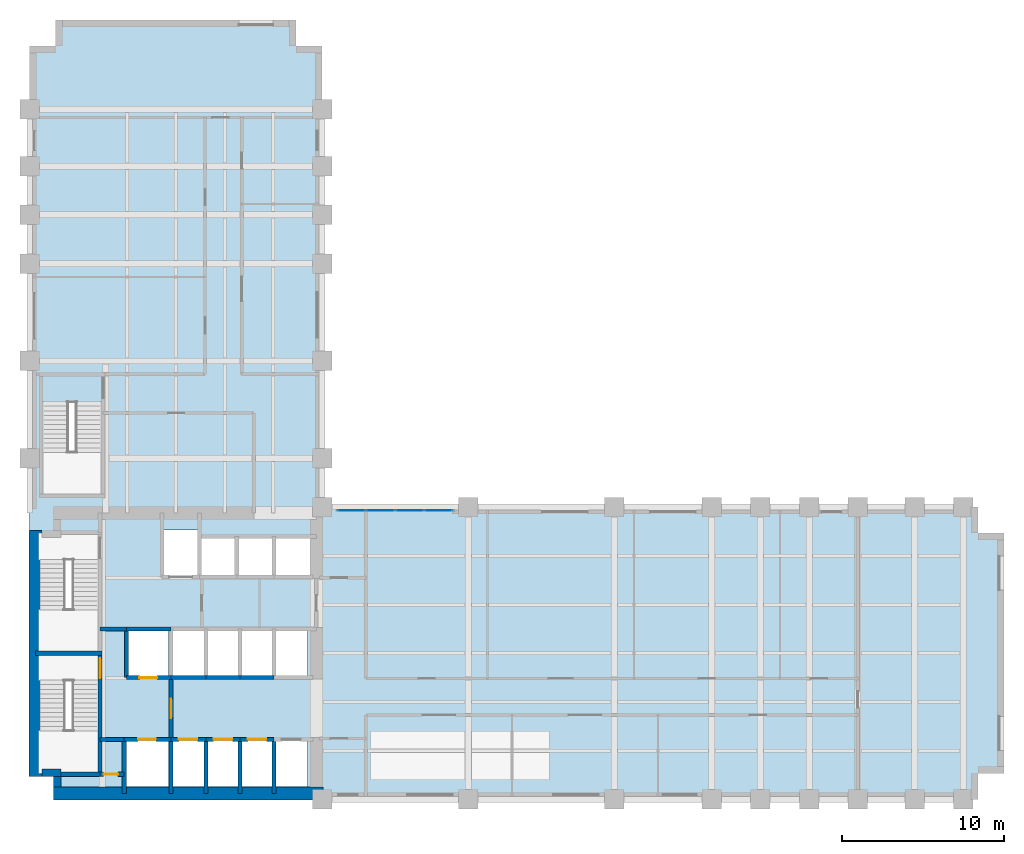
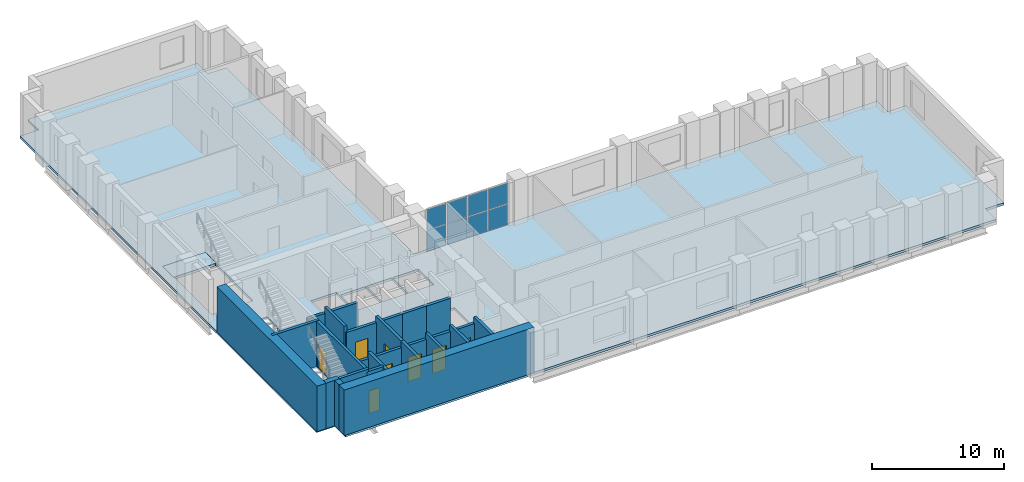
# One storey, part 4 of 8: 26 walls, 8 doors, 8 plates, 2 slabs, 8 openings, 2 elements without a shape of their own.
"""IFC4 building model written with IfcOpenShell, lengths in metres."""

from ifc_helpers import new_model, si_unit, direction, frame, frame_2d, origin, origin_2d, place, context, subcontext, project, spatial, polyline, rectangle, outline, extrude, material, layer, layer_set, type_object, element, fill, aggregate, save


model = new_model("IFC4")

# Units and contexts
model_context = context("Model", 3, precision=1e-05, world=origin(), true_north=direction((0.0, 1.0)))
body_context = subcontext(model_context, "Body", "Model", "MODEL_VIEW")
ifc_project = project(units=[si_unit("LENGTHUNIT", "METRE"), si_unit("AREAUNIT", "SQUARE_METRE"), si_unit("VOLUMEUNIT", "CUBIC_METRE"), si_unit("PLANEANGLEUNIT", "RADIAN"), si_unit("MASSUNIT", "GRAM", prefix="KILO")], contexts=[model_context])

# Site, building, storey
site_placement = place(None, origin())
site = spatial("IfcSite", under=ifc_project, at=site_placement, CompositionType="ELEMENT")
building_placement = place(site_placement, origin())
building = spatial("IfcBuilding", under=site, at=building_placement, Name="Mawjdan Bourse Tower", CompositionType="ELEMENT")
storey_placement = place(building_placement, frame((0.0, 0.0, 25.800048828125)))
storey = spatial("IfcBuildingStorey", under=building, at=storey_placement, Name="L05", CompositionType="ELEMENT", Elevation=25.800048828125)

# Curtain wall, plates
ifc_material_1 = material(Name="Thermally Broken Aluminium and Solar Glass", Category="aluminium")
ifc_layer_1 = layer(ifc_material_1, 0.219970703125)
ifc_layer_set_1 = layer_set([ifc_layer_1], Name="Thermally Broken Aluminium and Solar Glass")
curtain_wall_type = type_object("IfcCurtainWallType", Name="CW-ATR", PredefinedType="USERDEFINED", material=ifc_layer_set_1)
curtain_wall_placement = place(storey_placement, origin())
curtain_wall = element("IfcCurtainWall", 1, at=curtain_wall_placement, inside=storey, type_object=curtain_wall_type, Name="L05 Northeast Atrium Court Curtain Wall", ObjectType="ATRIUM GLAZED CURTAIN WALL", PredefinedType="USERDEFINED")
ifc_material_2 = material(Name="Low-SHGC Clear Atrium Glass", Category="glass")
ifc_layer_2 = layer(ifc_material_2, 0.035888671875)
ifc_layer_set_2 = layer_set([ifc_layer_2], Name="Low-SHGC Clear Atrium Glass")
plate_type = type_object("IfcPlateType", Name="PNL-CW-ATR", PredefinedType="CURTAIN_PANEL", material=ifc_layer_set_2)
plate_1_placement = place(storey_placement, frame((31.1826171875, 20.7900390625, 0.06005859375), z_axis=(0.0, 0.0, 1.0), x_axis=(-1.0, 0.0, 0.0)))
plate_1 = element("IfcPlate", 2, at=plate_1_placement, type_object=plate_type, Name="CW-ATR-L05-ATR-NE panel 1.1", PredefinedType="CURTAIN_PANEL", context=body_context, shape_type="SweptSolid", body=[
    extrude(rectangle(XDim=1.695068359375, YDim=0.035888671875, at=origin_2d()), origin(), (0.0, 0.0, 1.0), 1.89990234375),
])
plate_2_placement = place(storey_placement, frame((31.1826171875, 20.7900390625, 2.02001953125), z_axis=(0.0, 0.0, 1.0), x_axis=(-1.0, 0.0, 0.0)))
plate_2 = element("IfcPlate", 3, at=plate_2_placement, type_object=plate_type, Name="CW-ATR-L05-ATR-NE panel 1.2", PredefinedType="CURTAIN_PANEL", context=body_context, shape_type="SweptSolid", body=[
    extrude(rectangle(XDim=1.695068359375, YDim=0.035888671875, at=origin_2d()), origin(), (0.0, 0.0, 1.0), 1.89990234375),
])
plate_3_placement = place(storey_placement, frame((29.39990234375, 20.7900390625, 0.06005859375), z_axis=(0.0, 0.0, 1.0), x_axis=(-1.0, 0.0, 0.0)))
plate_3 = element("IfcPlate", 4, at=plate_3_placement, type_object=plate_type, Name="CW-ATR-L05-ATR-NE panel 2.1", PredefinedType="CURTAIN_PANEL", context=body_context, shape_type="SweptSolid", body=[
    extrude(rectangle(XDim=1.72998046875, YDim=0.035888671875, at=origin_2d()), origin(), (0.0, 0.0, 1.0), 1.89990234375),
])
plate_4_placement = place(storey_placement, frame((29.39990234375, 20.7900390625, 2.02001953125), z_axis=(0.0, 0.0, 1.0), x_axis=(-1.0, 0.0, 0.0)))
plate_4 = element("IfcPlate", 5, at=plate_4_placement, type_object=plate_type, Name="CW-ATR-L05-ATR-NE panel 2.2", PredefinedType="CURTAIN_PANEL", context=body_context, shape_type="SweptSolid", body=[
    extrude(rectangle(XDim=1.72998046875, YDim=0.035888671875, at=origin_2d()), origin(), (0.0, 0.0, 1.0), 1.89990234375),
])
plate_5_placement = place(storey_placement, frame((27.60009765625, 20.7900390625, 0.06005859375), z_axis=(0.0, 0.0, 1.0), x_axis=(-1.0, 0.0, 0.0)))
plate_5 = element("IfcPlate", 6, at=plate_5_placement, type_object=plate_type, Name="CW-ATR-L05-ATR-NE panel 3.1", PredefinedType="CURTAIN_PANEL", context=body_context, shape_type="SweptSolid", body=[
    extrude(rectangle(XDim=1.72998046875, YDim=0.035888671875, at=origin_2d()), origin(), (0.0, 0.0, 1.0), 1.89990234375),
])
plate_6_placement = place(storey_placement, frame((27.60009765625, 20.7900390625, 2.02001953125), z_axis=(0.0, 0.0, 1.0), x_axis=(-1.0, 0.0, 0.0)))
plate_6 = element("IfcPlate", 7, at=plate_6_placement, type_object=plate_type, Name="CW-ATR-L05-ATR-NE panel 3.2", PredefinedType="CURTAIN_PANEL", context=body_context, shape_type="SweptSolid", body=[
    extrude(rectangle(XDim=1.72998046875, YDim=0.035888671875, at=origin_2d()), origin(), (0.0, 0.0, 1.0), 1.89990234375),
])
plate_7_placement = place(storey_placement, frame((25.8173828125, 20.7900390625, 0.06005859375), z_axis=(0.0, 0.0, 1.0), x_axis=(-1.0, 0.0, 0.0)))
plate_7 = element("IfcPlate", 8, at=plate_7_placement, type_object=plate_type, Name="CW-ATR-L05-ATR-NE panel 4.1", PredefinedType="CURTAIN_PANEL", context=body_context, shape_type="SweptSolid", body=[
    extrude(rectangle(XDim=1.695068359375, YDim=0.035888671875, at=origin_2d()), origin(), (0.0, 0.0, 1.0), 1.89990234375),
])
plate_8_placement = place(storey_placement, frame((25.8173828125, 20.7900390625, 2.02001953125), z_axis=(0.0, 0.0, 1.0), x_axis=(-1.0, 0.0, 0.0)))
plate_8 = element("IfcPlate", 9, at=plate_8_placement, type_object=plate_type, Name="CW-ATR-L05-ATR-NE panel 4.2", PredefinedType="CURTAIN_PANEL", context=body_context, shape_type="SweptSolid", body=[
    extrude(rectangle(XDim=1.695068359375, YDim=0.035888671875, at=origin_2d()), origin(), (0.0, 0.0, 1.0), 1.89990234375),
])
aggregate(curtain_wall, [plate_1, plate_2, plate_3, plate_4, plate_5, plate_6, plate_7, plate_8])

# Stair, slab
ifc_material_3 = material(Name="Concrete C50/60", Category="concrete")
stair_type = type_object("IfcStairType", Name="STR-CORE-1500", PredefinedType="HALF_TURN_STAIR", material=ifc_material_3)
stair_placement = place(storey_placement, origin())
stair = element("IfcStair", 10, at=stair_placement, inside=storey, type_object=stair_type, Name="L05 Exit Stair 3 (North Wing)", PredefinedType="HALF_TURN_STAIR")
ifc_layer_3 = layer(ifc_material_3, 0.22998046875)
ifc_layer_set_3 = layer_set([ifc_layer_3], Name="Concrete C50/60")
slab_type_1 = type_object("IfcSlabType", Name="SL-LND-230", PredefinedType="LANDING", material=ifc_layer_set_3)
slab_1_placement = place(storey_placement, frame((0.0, 0.0, -0.22998046875)))
slab_1 = element("IfcSlab", 11, at=slab_1_placement, type_object=slab_type_1, Name="ST3-L05 landing 1", PredefinedType="LANDING", context=body_context, shape_type="SweptSolid", body=[
    extrude(outline(polyline([(6.739990234375, 27.4599609375), (10.4599609375, 27.4599609375), (10.4599609375, 29.1201171875), (6.739990234375, 29.1201171875), (6.739990234375, 27.4599609375)])), origin(), (0.0, 0.0, 1.0), 0.22998046875),
])
aggregate(stair, [slab_1])

# Slab
ifc_layer_4 = layer(ifc_material_3, 0.219970703125)
ifc_layer_set_4 = layer_set([ifc_layer_4], Name="Concrete C50/60")
slab_type_2 = type_object("IfcSlabType", Name="SL-TRD-220", PredefinedType="FLOOR", material=ifc_layer_set_4)
slab_2_placement = place(storey_placement, frame((0.0, 0.0, -0.219970703125)))
element("IfcSlab", 12, at=slab_2_placement, inside=storey, type_object=slab_type_2, Name="L05 Structural Floor Slab 1", PredefinedType="FLOOR", context=body_context, shape_type="SweptSolid", body=[
    extrude(outline(polyline([(7.60009765625, 3.0), (64.39990234375, 3.0), (64.39990234375, 4.60009765625), (66.0, 4.60009765625), (66.0, 19.39990234375), (64.39990234375, 19.39990234375), (64.39990234375, 21.0), (24.0, 21.0), (24.0, 49.39990234375), (22.39990234375, 49.39990234375), (22.39990234375, 51.0), (7.60009765625, 51.0), (7.60009765625, 49.39990234375), (6.0, 49.39990234375), (6.0, 4.60009765625), (7.60009765625, 4.60009765625), (7.60009765625, 3.0)]), holes=[polyline([(11.949951171875, 3.800048828125), (11.949951171875, 6.60009765625), (14.550048828125, 6.60009765625), (14.550048828125, 3.800048828125), (11.949951171875, 3.800048828125)]), polyline([(14.800048828125, 3.800048828125), (14.800048828125, 6.60009765625), (16.800048828125, 6.60009765625), (16.800048828125, 3.800048828125), (14.800048828125, 3.800048828125)]), polyline([(10.260009765625, 11.969970703125), (10.260009765625, 10.31005859375), (10.199951171875, 10.31005859375), (10.199951171875, 4.64990234375), (6.60009765625, 4.64990234375), (6.60009765625, 10.31005859375), (6.5400390625, 10.31005859375), (6.5400390625, 11.969970703125), (10.260009765625, 11.969970703125)]), polyline([(12.050048828125, 13.39990234375), (14.550048828125, 13.39990234375), (14.550048828125, 10.60009765625), (12.050048828125, 10.60009765625), (12.050048828125, 13.39990234375)]), polyline([(6.60009765625, 17.75), (6.5400390625, 17.75), (6.5400390625, 19.409912109375), (10.260009765625, 19.409912109375), (10.260009765625, 17.75), (10.199951171875, 17.75), (10.199951171875, 12.090087890625), (6.60009765625, 12.090087890625), (6.60009765625, 17.75)]), polyline([(14.199951171875, 16.800048828125), (14.199951171875, 19.60009765625), (16.39990234375, 19.60009765625), (16.39990234375, 16.800048828125), (14.199951171875, 16.800048828125)]), polyline([(10.4599609375, 27.4599609375), (10.39990234375, 27.4599609375), (10.39990234375, 21.800048828125), (6.800048828125, 21.800048828125), (6.800048828125, 27.4599609375), (6.739990234375, 27.4599609375), (6.739990234375, 29.1201171875), (10.4599609375, 29.1201171875), (10.4599609375, 27.4599609375)]), polyline([(16.89990234375, 3.800048828125), (16.89990234375, 6.60009765625), (18.89990234375, 6.60009765625), (18.89990234375, 3.800048828125), (16.89990234375, 3.800048828125)]), polyline([(19.0, 3.800048828125), (19.0, 6.60009765625), (21.0, 6.60009765625), (21.0, 3.800048828125), (19.0, 3.800048828125)]), polyline([(21.10009765625, 3.800048828125), (21.10009765625, 6.60009765625), (23.10009765625, 6.60009765625), (23.10009765625, 3.800048828125), (21.10009765625, 3.800048828125)]), polyline([(14.800048828125, 13.39990234375), (16.800048828125, 13.39990234375), (16.800048828125, 10.60009765625), (14.800048828125, 10.60009765625), (14.800048828125, 13.39990234375)]), polyline([(16.89990234375, 13.39990234375), (18.89990234375, 13.39990234375), (18.89990234375, 10.60009765625), (16.89990234375, 10.60009765625), (16.89990234375, 13.39990234375)]), polyline([(19.0, 10.60009765625), (19.0, 13.39990234375), (21.0, 13.39990234375), (21.0, 10.60009765625), (19.0, 10.60009765625)]), polyline([(21.10009765625, 10.60009765625), (21.10009765625, 13.39990234375), (23.10009765625, 13.39990234375), (23.10009765625, 10.60009765625), (21.10009765625, 10.60009765625)]), polyline([(16.5, 16.800048828125), (16.5, 19.14990234375), (18.699951171875, 19.14990234375), (18.699951171875, 16.800048828125), (16.5, 16.800048828125)]), polyline([(18.800048828125, 19.14990234375), (21.0, 19.14990234375), (21.0, 16.800048828125), (18.800048828125, 16.800048828125), (18.800048828125, 19.14990234375)]), polyline([(21.10009765625, 19.14990234375), (23.300048828125, 19.14990234375), (23.300048828125, 16.800048828125), (21.10009765625, 16.800048828125), (21.10009765625, 19.14990234375)])]), origin(), (0.0, 0.0, 1.0), 0.219970703125),
])

# Walls
ifc_material_4 = material(Name="Concrete C60/75", Category="concrete")
ifc_layer_5 = layer(ifc_material_4, 0.449951171875)
ifc_layer_set_5 = layer_set([ifc_layer_5], Name="Concrete C60/75")
wall_type_1 = type_object("IfcWallType", Name="WL-CORE-450", PredefinedType="SHEAR", material=ifc_layer_set_5)
wall_1_placement = place(storey_placement, frame((6.75, 4.64990234375, 0.0), z_axis=(0.0, 0.0, 1.0), x_axis=(1.0, 0.0, 0.0)))
element("IfcWall", 13, at=wall_1_placement, inside=storey, type_object=wall_type_1, Name="L05 Rear Core Shear Wall SW-X", PredefinedType="SHEAR", context=body_context, shape_type="SweptSolid", body=[
    extrude(rectangle(XDim=1.175048828125, YDim=0.449951171875, at=frame_2d((0.58740234375, 0.0))), origin(), (0.0, 0.0, 1.0), 4.199951171875),
])
wall_2_placement = place(storey_placement, frame((7.699951171875, 3.75, 0.0), z_axis=(0.0, 0.0, 1.0), x_axis=(0.0, 1.0, 0.0)))
element("IfcWall", 14, at=wall_2_placement, inside=storey, type_object=wall_type_1, Name="L05 Rear Core Shear Wall SW-Y", PredefinedType="SHEAR", context=body_context, shape_type="SweptSolid", body=[
    extrude(rectangle(XDim=0.675048828125, YDim=0.449951171875, at=frame_2d((0.33740234375, 0.0))), origin(), (0.0, 0.0, 1.0), 4.199951171875),
])
ifc_material_5 = material(Name="Concrete C80/95", Category="concrete")
ifc_layer_6 = layer(ifc_material_5, 0.800048828125)
ifc_layer_set_6 = layer_set([ifc_layer_6], Name="Concrete C80/95")
wall_type_2 = type_object("IfcWallType", Name="WL-CORE-800", PredefinedType="SHEAR", material=ifc_layer_set_6)
wall_3_placement = place(storey_placement, frame((7.47509765625, 3.35009765625, 0.0), z_axis=(0.0, 0.0, 1.0), x_axis=(1.0, 0.0, 0.0)))
element("IfcWall", 15, at=wall_3_placement, inside=storey, type_object=wall_type_2, Name="L05 Rear Core Shear Wall S", PredefinedType="SHEAR", context=body_context, shape_type="SweptSolid", body=[
    extrude(rectangle(XDim=16.574951171875, YDim=0.800048828125, at=frame_2d((8.28759765625, 0.0))), origin(), (0.0, 0.0, 1.0), 4.199951171875),
])
wall_4_placement = place(storey_placement, frame((6.35009765625, 4.425048828125, 0.0), z_axis=(0.0, 0.0, 1.0), x_axis=(0.0, 1.0, 0.0)))
element("IfcWall", 16, at=wall_4_placement, inside=storey, type_object=wall_type_2, Name="L05 Rear Core Shear Wall W", PredefinedType="SHEAR", context=body_context, shape_type="SweptSolid", body=[
    extrude(rectangle(XDim=15.14990234375, YDim=0.800048828125, at=frame_2d((7.574951171875, 0.0))), origin(), (0.0, 0.0, 1.0), 4.199951171875),
])

# Wall, opening, door
ifc_layer_7 = layer(ifc_material_3, 0.25)
ifc_layer_set_7 = layer_set([ifc_layer_7], Name="Concrete C50/60")
wall_type_3 = type_object("IfcWallType", Name="WL-SHFT-250", PredefinedType="PARTITIONING", material=ifc_layer_set_7)
wall_5_placement = place(storey_placement, frame((10.330078125, 4.550048828125, 0.0), z_axis=(0.0, 0.0, 1.0), x_axis=(1.0, 0.0, 0.0)))
wall_5 = element("IfcWall", 17, at=wall_5_placement, inside=storey, type_object=wall_type_3, Name="L05 SW Riser North Wall", PredefinedType="PARTITIONING", context=body_context, shape_type="SweptSolid", body=[
    extrude(rectangle(XDim=1.489990234375, YDim=0.25, at=frame_2d((0.7451171875, 0.0))), origin(), (0.0, 0.0, 1.0), 3.969970703125),
])
opening_1_placement = place(wall_5_placement, frame((0.219970703125, 0.0, 0.0)))
opening_1 = element("IfcOpeningElement", 18, at=opening_1_placement, cuts=wall_5, Name="Opening RD-L05-03", PredefinedType="OPENING", context=body_context, shape_type="SweptSolid", body=[
    extrude(rectangle(XDim=0.89990234375, YDim=2.10009765625, at=frame_2d((0.449951171875, 1.050048828125))), frame((0.0, 0.135009765625, 0.0), z_axis=(0.0, -1.0, 0.0), x_axis=(1.0, 0.0, 0.0)), (0.0, 0.0, 1.0), 0.27001953125),
])
ifc_material_6 = material(Name="Fire-Rated Steel Access Leaf", Category="steel")
door_type_1 = type_object("IfcDoorType", Name="FD-RSR-0900", OperationType="NOTDEFINED", PredefinedType="TRAPDOOR", material=ifc_material_6)
door_1_placement = place(opening_1_placement, origin())
door_1 = element("IfcDoor", 19, at=door_1_placement, inside=storey, type_object=door_type_1, Name="L05 Electrical Riser Access Door RD-L05-03", OperationType="SINGLE_SWING_RIGHT", OverallHeight=2.10009765625, OverallWidth=0.89990234375, PredefinedType="TRAPDOOR", context=body_context, shape_type="SweptSolid", body=[
    extrude(rectangle(XDim=0.89990234375, YDim=2.10009765625, at=frame_2d((0.449951171875, 1.050048828125))), frame((0.0, 0.02490234375, 0.0), z_axis=(0.0, -1.0, 0.0), x_axis=(1.0, 0.0, 0.0)), (0.0, 0.0, 1.0), 0.050048828125),
])
fill(opening_1, door_1)

# Wall
wall_6_placement = place(storey_placement, frame((11.820068359375, 3.35009765625, 0.0), z_axis=(0.0, 0.0, 1.0), x_axis=(0.0, 1.0, 0.0)))
element("IfcWall", 20, at=wall_6_placement, inside=storey, type_object=wall_type_3, Name="L05 SW Riser & FFL01 West Wall", PredefinedType="PARTITIONING", context=body_context, shape_type="SweptSolid", body=[
    extrude(rectangle(XDim=3.349853515625, YDim=0.25, at=frame_2d((1.6748046875, 0.0))), origin(), (0.0, 0.0, 1.0), 3.969970703125),
])

# Wall, opening, door
wall_7_placement = place(storey_placement, frame((11.820068359375, 6.699951171875, 0.0), z_axis=(0.0, 0.0, 1.0), x_axis=(1.0, 0.0, 0.0)))
wall_7 = element("IfcWall", 21, at=wall_7_placement, inside=storey, type_object=wall_type_3, Name="L05 FFL-01 Front Shaft Wall", PredefinedType="PARTITIONING", context=body_context, shape_type="SweptSolid", body=[
    extrude(rectangle(XDim=2.8798828125, YDim=0.25, at=frame_2d((1.43994140625, 0.0))), origin(), (0.0, 0.0, 1.0), 3.426025390625),
])
opening_2_placement = place(wall_7_placement, frame((0.85009765625, 0.0, 0.0)))
opening_2 = element("IfcOpeningElement", 22, at=opening_2_placement, cuts=wall_7, Name="Opening LD-L05-05", PredefinedType="OPENING", context=body_context, shape_type="SweptSolid", body=[
    extrude(rectangle(XDim=1.10009765625, YDim=2.25, at=frame_2d((0.550048828125, 1.125))), frame((0.0, 0.135009765625, 0.0), z_axis=(0.0, -1.0, 0.0), x_axis=(1.0, 0.0, 0.0)), (0.0, 0.0, 1.0), 0.27001953125),
])
ifc_material_7 = material(Name="Brushed Stainless Steel", Category="steel")
door_type_2 = type_object("IfcDoorType", Name="LD-FFL-1100", OperationType="DOUBLE_DOOR_SLIDING", PredefinedType="DOOR", material=ifc_material_7)
door_2_placement = place(opening_2_placement, origin())
door_2 = element("IfcDoor", 23, at=door_2_placement, inside=storey, type_object=door_type_2, Name="L05 Firefighting Lift FFL-01 Landing Door LD-L05-05", OperationType="DOUBLE_DOOR_SLIDING", OverallHeight=2.25, OverallWidth=1.10009765625, PredefinedType="DOOR", context=body_context, shape_type="SweptSolid", body=[
    extrude(rectangle(XDim=1.10009765625, YDim=2.25, at=frame_2d((0.550048828125, 1.125))), frame((0.0, 0.02490234375, 0.0), z_axis=(0.0, -1.0, 0.0), x_axis=(1.0, 0.0, 0.0)), (0.0, 0.0, 1.0), 0.050048828125),
])
fill(opening_2, door_2)

# Wall
wall_8_placement = place(storey_placement, frame((14.699951171875, 3.35009765625, 0.0), z_axis=(0.0, 0.0, 1.0), x_axis=(0.0, 1.0, 0.0)))
element("IfcWall", 24, at=wall_8_placement, inside=storey, type_object=wall_type_3, Name="L05 FFL-01 East Shaft Wall", PredefinedType="PARTITIONING", context=body_context, shape_type="SweptSolid", body=[
    extrude(rectangle(XDim=3.349853515625, YDim=0.25, at=frame_2d((1.6748046875, 0.0))), origin(), (0.0, 0.0, 1.0), 3.969970703125),
])

# Wall, opening, door
wall_9_placement = place(storey_placement, frame((11.949951171875, 10.5, 0.0), z_axis=(0.0, 0.0, 1.0), x_axis=(1.0, 0.0, 0.0)))
wall_9 = element("IfcWall", 25, at=wall_9_placement, inside=storey, type_object=wall_type_3, Name="L05 FFL-02 Front Shaft Wall", PredefinedType="PARTITIONING", context=body_context, shape_type="SweptSolid", body=[
    extrude(rectangle(XDim=2.75, YDim=0.25, at=frame_2d((1.375, 0.0))), origin(), (0.0, 0.0, 1.0), 3.426025390625),
])
opening_3_placement = place(wall_9_placement, frame((0.800048828125, 0.0, 0.0)))
opening_3 = element("IfcOpeningElement", 26, at=opening_3_placement, cuts=wall_9, Name="Opening LD-L05-06", PredefinedType="OPENING", context=body_context, shape_type="SweptSolid", body=[
    extrude(rectangle(XDim=1.10009765625, YDim=2.25, at=frame_2d((0.550048828125, 1.125))), frame((0.0, 0.135009765625, 0.0), z_axis=(0.0, -1.0, 0.0), x_axis=(1.0, 0.0, 0.0)), (0.0, 0.0, 1.0), 0.27001953125),
])
door_3_placement = place(opening_3_placement, origin())
door_3 = element("IfcDoor", 27, at=door_3_placement, inside=storey, type_object=door_type_2, Name="L05 Firefighting Lift FFL-02 Landing Door LD-L05-06", OperationType="DOUBLE_DOOR_SLIDING", OverallHeight=2.25, OverallWidth=1.10009765625, PredefinedType="DOOR", context=body_context, shape_type="SweptSolid", body=[
    extrude(rectangle(XDim=1.10009765625, YDim=2.25, at=frame_2d((0.550048828125, 1.125))), frame((0.0, 0.02490234375, 0.0), z_axis=(0.0, -1.0, 0.0), x_axis=(1.0, 0.0, 0.0)), (0.0, 0.0, 1.0), 0.050048828125),
])
fill(opening_3, door_3)

# Walls
wall_10_placement = place(storey_placement, frame((11.949951171875, 10.5, 0.0), z_axis=(0.0, 0.0, 1.0), x_axis=(0.0, 1.0, 0.0)))
element("IfcWall", 28, at=wall_10_placement, inside=storey, type_object=wall_type_3, Name="L05 FFL-02 West Shaft Wall", PredefinedType="PARTITIONING", context=body_context, shape_type="SweptSolid", body=[
    extrude(rectangle(XDim=3.0, YDim=0.25, at=frame_2d((1.5, 0.0))), origin(), (0.0, 0.0, 1.0), 3.969970703125),
])
wall_11_placement = place(storey_placement, frame((11.949951171875, 13.5, 0.0), z_axis=(0.0, 0.0, 1.0), x_axis=(1.0, 0.0, 0.0)))
element("IfcWall", 29, at=wall_11_placement, inside=storey, type_object=wall_type_3, Name="L05 FFL-02 North Shaft Wall", PredefinedType="PARTITIONING", context=body_context, shape_type="SweptSolid", body=[
    extrude(rectangle(XDim=2.75, YDim=0.25, at=frame_2d((1.375, 0.0))), origin(), (0.0, 0.0, 1.0), 3.426025390625),
])

# Wall, opening, door
wall_12_placement = place(storey_placement, frame((14.699951171875, 6.699951171875, 0.0), z_axis=(0.0, 0.0, 1.0), x_axis=(0.0, 1.0, 0.0)))
wall_12 = element("IfcWall", 30, at=wall_12_placement, inside=storey, type_object=wall_type_3, Name="L05 Firefighting Lobby East Compartment Wall", PredefinedType="PARTITIONING", context=body_context, shape_type="SweptSolid", body=[
    extrude(rectangle(XDim=3.800048828125, YDim=0.25, at=frame_2d((1.89990234375, 0.0))), origin(), (0.0, 0.0, 1.0), 3.969970703125),
])
opening_4_placement = place(wall_12_placement, frame((1.300048828125, 0.0, 0.0)))
opening_4 = element("IfcOpeningElement", 31, at=opening_4_placement, cuts=wall_12, Name="Opening FD-L05-07", PredefinedType="OPENING", context=body_context, shape_type="SweptSolid", body=[
    extrude(rectangle(XDim=1.199951171875, YDim=2.199951171875, at=frame_2d((0.60009765625, 1.10009765625))), frame((0.0, 0.135009765625, 0.0), z_axis=(0.0, -1.0, 0.0), x_axis=(1.0, 0.0, 0.0)), (0.0, 0.0, 1.0), 0.27001953125),
])
ifc_material_8 = material(Name="Fire-Rated Steel Leaf", Category="steel")
door_type_3 = type_object("IfcDoorType", Name="FD-FFL-1200", OperationType="NOTDEFINED", PredefinedType="DOOR", material=ifc_material_8)
door_4_placement = place(opening_4_placement, origin())
door_4 = element("IfcDoor", 32, at=door_4_placement, inside=storey, type_object=door_type_3, Name="L05 Firefighting Lobby East Smoke Door FD-L05-07", OperationType="SINGLE_SWING_RIGHT", OverallHeight=2.199951171875, OverallWidth=1.199951171875, PredefinedType="DOOR", context=body_context, shape_type="SweptSolid", body=[
    extrude(rectangle(XDim=1.199951171875, YDim=2.199951171875, at=frame_2d((0.60009765625, 1.10009765625))), frame((0.0, 0.02490234375, 0.0), z_axis=(0.0, -1.0, 0.0), x_axis=(1.0, 0.0, 0.0)), (0.0, 0.0, 1.0), 0.050048828125),
])
fill(opening_4, door_4)

# Walls
wall_13_placement = place(storey_placement, frame((10.330078125, 13.5, 0.0), z_axis=(0.0, 0.0, 1.0), x_axis=(1.0, 0.0, 0.0)))
element("IfcWall", 33, at=wall_13_placement, inside=storey, type_object=wall_type_3, Name="L05 Firefighting Lobby North Compartment Wall", PredefinedType="PARTITIONING", context=body_context, shape_type="SweptSolid", body=[
    extrude(rectangle(XDim=1.619873046875, YDim=0.25, at=frame_2d((0.81005859375, 0.0))), origin(), (0.0, 0.0, 1.0), 3.426025390625),
])
wall_14_placement = place(storey_placement, frame((10.330078125, 6.699951171875, 0.0), z_axis=(0.0, 0.0, 1.0), x_axis=(1.0, 0.0, 0.0)))
element("IfcWall", 34, at=wall_14_placement, inside=storey, type_object=wall_type_3, Name="L05 Firefighting Lobby South Closure Wall", PredefinedType="PARTITIONING", context=body_context, shape_type="SweptSolid", body=[
    extrude(rectangle(XDim=1.489990234375, YDim=0.25, at=frame_2d((0.7451171875, 0.0))), origin(), (0.0, 0.0, 1.0), 3.426025390625),
])

# Wall, opening, door
wall_15_placement = place(storey_placement, frame((14.699951171875, 6.699951171875, 0.0), z_axis=(0.0, 0.0, 1.0), x_axis=(1.0, 0.0, 0.0)))
wall_15 = element("IfcWall", 35, at=wall_15_placement, inside=storey, type_object=wall_type_3, Name="L05 PL-04 Front Wall", PredefinedType="PARTITIONING", context=body_context, shape_type="SweptSolid", body=[
    extrude(rectangle(XDim=2.150146484375, YDim=0.25, at=frame_2d((1.0751953125, 0.0))), origin(), (0.0, 0.0, 1.0), 3.426025390625),
])
opening_5_placement = place(wall_15_placement, frame((0.47998046875, 0.0, 0.0)))
opening_5 = element("IfcOpeningElement", 36, at=opening_5_placement, cuts=wall_15, Name="Opening LD-L05-10", PredefinedType="OPENING", context=body_context, shape_type="SweptSolid", body=[
    extrude(rectangle(XDim=1.14990234375, YDim=2.25, at=frame_2d((0.574951171875, 1.125))), frame((0.0, 0.135009765625, 0.0), z_axis=(0.0, -1.0, 0.0), x_axis=(1.0, 0.0, 0.0)), (0.0, 0.0, 1.0), 0.27001953125),
])
door_type_4 = type_object("IfcDoorType", Name="LD-PAS-1150", OperationType="DOUBLE_DOOR_SLIDING", PredefinedType="DOOR", material=ifc_material_7)
door_5_placement = place(opening_5_placement, origin())
door_5 = element("IfcDoor", 37, at=door_5_placement, inside=storey, type_object=door_type_4, Name="L05 Lift PL-04 Landing Door LD-L05-10", OperationType="DOUBLE_DOOR_SLIDING", OverallHeight=2.25, OverallWidth=1.14990234375, PredefinedType="DOOR", context=body_context, shape_type="SweptSolid", body=[
    extrude(rectangle(XDim=1.14990234375, YDim=2.25, at=frame_2d((0.574951171875, 1.125))), frame((0.0, 0.02490234375, 0.0), z_axis=(0.0, -1.0, 0.0), x_axis=(1.0, 0.0, 0.0)), (0.0, 0.0, 1.0), 0.050048828125),
])
fill(opening_5, door_5)

# Wall
wall_16_placement = place(storey_placement, frame((16.85009765625, 3.35009765625, 0.0), z_axis=(0.0, 0.0, 1.0), x_axis=(0.0, 1.0, 0.0)))
element("IfcWall", 38, at=wall_16_placement, inside=storey, type_object=wall_type_3, Name="L05 PL-04 Divider Wall", PredefinedType="PARTITIONING", context=body_context, shape_type="SweptSolid", body=[
    extrude(rectangle(XDim=3.349853515625, YDim=0.25, at=frame_2d((1.6748046875, 0.0))), origin(), (0.0, 0.0, 1.0), 3.969970703125),
])

# Wall, opening, door
wall_17_placement = place(storey_placement, frame((16.85009765625, 6.699951171875, 0.0), z_axis=(0.0, 0.0, 1.0), x_axis=(1.0, 0.0, 0.0)))
wall_17 = element("IfcWall", 39, at=wall_17_placement, inside=storey, type_object=wall_type_3, Name="L05 PL-01 Front Wall", PredefinedType="PARTITIONING", context=body_context, shape_type="SweptSolid", body=[
    extrude(rectangle(XDim=2.099853515625, YDim=0.25, at=frame_2d((1.0498046875, 0.0))), origin(), (0.0, 0.0, 1.0), 3.426025390625),
])
opening_6_placement = place(wall_17_placement, frame((0.47998046875, 0.0, 0.0)))
opening_6 = element("IfcOpeningElement", 40, at=opening_6_placement, cuts=wall_17, Name="Opening LD-L05-11", PredefinedType="OPENING", context=body_context, shape_type="SweptSolid", body=[
    extrude(rectangle(XDim=1.14990234375, YDim=2.25, at=frame_2d((0.574951171875, 1.125))), frame((0.0, 0.135009765625, 0.0), z_axis=(0.0, -1.0, 0.0), x_axis=(1.0, 0.0, 0.0)), (0.0, 0.0, 1.0), 0.27001953125),
])
door_6_placement = place(opening_6_placement, origin())
door_6 = element("IfcDoor", 41, at=door_6_placement, inside=storey, type_object=door_type_4, Name="L05 Lift PL-01 Landing Door LD-L05-11", OperationType="DOUBLE_DOOR_SLIDING", OverallHeight=2.25, OverallWidth=1.14990234375, PredefinedType="DOOR", context=body_context, shape_type="SweptSolid", body=[
    extrude(rectangle(XDim=1.14990234375, YDim=2.25, at=frame_2d((0.574951171875, 1.125))), frame((0.0, 0.02490234375, 0.0), z_axis=(0.0, -1.0, 0.0), x_axis=(1.0, 0.0, 0.0)), (0.0, 0.0, 1.0), 0.050048828125),
])
fill(opening_6, door_6)

# Wall
wall_18_placement = place(storey_placement, frame((18.949951171875, 3.35009765625, 0.0), z_axis=(0.0, 0.0, 1.0), x_axis=(0.0, 1.0, 0.0)))
element("IfcWall", 42, at=wall_18_placement, inside=storey, type_object=wall_type_3, Name="L05 PL-01 Divider Wall", PredefinedType="PARTITIONING", context=body_context, shape_type="SweptSolid", body=[
    extrude(rectangle(XDim=3.349853515625, YDim=0.25, at=frame_2d((1.6748046875, 0.0))), origin(), (0.0, 0.0, 1.0), 3.969970703125),
])

# Wall, opening, door
wall_19_placement = place(storey_placement, frame((18.949951171875, 6.699951171875, 0.0), z_axis=(0.0, 0.0, 1.0), x_axis=(1.0, 0.0, 0.0)))
wall_19 = element("IfcWall", 43, at=wall_19_placement, inside=storey, type_object=wall_type_3, Name="L05 PL-02 Front Wall", PredefinedType="PARTITIONING", context=body_context, shape_type="SweptSolid", body=[
    extrude(rectangle(XDim=2.10009765625, YDim=0.25, at=frame_2d((1.050048828125, 0.0))), origin(), (0.0, 0.0, 1.0), 3.426025390625),
])
opening_7_placement = place(wall_19_placement, frame((0.47998046875, 0.0, 0.0)))
opening_7 = element("IfcOpeningElement", 44, at=opening_7_placement, cuts=wall_19, Name="Opening LD-L05-12", PredefinedType="OPENING", context=body_context, shape_type="SweptSolid", body=[
    extrude(rectangle(XDim=1.14990234375, YDim=2.25, at=frame_2d((0.574951171875, 1.125))), frame((0.0, 0.135009765625, 0.0), z_axis=(0.0, -1.0, 0.0), x_axis=(1.0, 0.0, 0.0)), (0.0, 0.0, 1.0), 0.27001953125),
])
door_7_placement = place(opening_7_placement, origin())
door_7 = element("IfcDoor", 45, at=door_7_placement, inside=storey, type_object=door_type_4, Name="L05 Lift PL-02 Landing Door LD-L05-12", OperationType="DOUBLE_DOOR_SLIDING", OverallHeight=2.25, OverallWidth=1.14990234375, PredefinedType="DOOR", context=body_context, shape_type="SweptSolid", body=[
    extrude(rectangle(XDim=1.14990234375, YDim=2.25, at=frame_2d((0.574951171875, 1.125))), frame((0.0, 0.02490234375, 0.0), z_axis=(0.0, -1.0, 0.0), x_axis=(1.0, 0.0, 0.0)), (0.0, 0.0, 1.0), 0.050048828125),
])
fill(opening_7, door_7)

# Walls
wall_20_placement = place(storey_placement, frame((21.050048828125, 3.35009765625, 0.0), z_axis=(0.0, 0.0, 1.0), x_axis=(0.0, 1.0, 0.0)))
element("IfcWall", 46, at=wall_20_placement, inside=storey, type_object=wall_type_3, Name="L05 PL-02 Divider Wall", PredefinedType="PARTITIONING", context=body_context, shape_type="SweptSolid", body=[
    extrude(rectangle(XDim=3.349853515625, YDim=0.25, at=frame_2d((1.6748046875, 0.0))), origin(), (0.0, 0.0, 1.0), 3.969970703125),
])
wall_21_placement = place(storey_placement, frame((14.699951171875, 10.5, 0.0), z_axis=(0.0, 0.0, 1.0), x_axis=(1.0, 0.0, 0.0)))
element("IfcWall", 47, at=wall_21_placement, inside=storey, type_object=wall_type_3, Name="L05 PM-01 Front Wall", PredefinedType="PARTITIONING", context=body_context, shape_type="SweptSolid", body=[
    extrude(rectangle(XDim=2.150146484375, YDim=0.25, at=frame_2d((1.0751953125, 0.0))), origin(), (0.0, 0.0, 1.0), 3.426025390625),
])
wall_22_placement = place(storey_placement, frame((16.85009765625, 10.5, 0.0), z_axis=(0.0, 0.0, 1.0), x_axis=(1.0, 0.0, 0.0)))
element("IfcWall", 48, at=wall_22_placement, inside=storey, type_object=wall_type_3, Name="L05 PM-02 Front Wall", PredefinedType="PARTITIONING", context=body_context, shape_type="SweptSolid", body=[
    extrude(rectangle(XDim=2.099853515625, YDim=0.25, at=frame_2d((1.0498046875, 0.0))), origin(), (0.0, 0.0, 1.0), 3.426025390625),
])
wall_23_placement = place(storey_placement, frame((18.949951171875, 10.5, 0.0), z_axis=(0.0, 0.0, 1.0), x_axis=(1.0, 0.0, 0.0)))
element("IfcWall", 49, at=wall_23_placement, inside=storey, type_object=wall_type_3, Name="L05 PM-03 Front Wall", PredefinedType="PARTITIONING", context=body_context, shape_type="SweptSolid", body=[
    extrude(rectangle(XDim=2.10009765625, YDim=0.25, at=frame_2d((1.050048828125, 0.0))), origin(), (0.0, 0.0, 1.0), 3.426025390625),
])
ifc_layer_8 = layer(ifc_material_3, 0.25)
ifc_layer_set_8 = layer_set([ifc_layer_8], Name="Concrete C50/60")
wall_type_4 = type_object("IfcWallType", Name="WL-STRW-250", PredefinedType="SHEAR", material=ifc_layer_set_8)
wall_24_placement = place(storey_placement, frame((6.35009765625, 12.0, 0.0), z_axis=(0.0, 0.0, 1.0), x_axis=(1.0, 0.0, 0.0)))
element("IfcWall", 50, at=wall_24_placement, inside=storey, type_object=wall_type_4, Name="L05 Stairwell Dividing Shaft Wall", PredefinedType="SHEAR", context=body_context, shape_type="SweptSolid", body=[
    extrude(rectangle(XDim=4.10498046875, YDim=0.25, at=frame_2d((2.052490234375, 0.0))), origin(), (0.0, 0.0, 1.0), 4.199951171875),
])
wall_25_placement = place(storey_placement, frame((7.699951171875, 4.550048828125, 0.0), z_axis=(0.0, 0.0, 1.0), x_axis=(1.0, 0.0, 0.0)))
element("IfcWall", 51, at=wall_25_placement, inside=storey, type_object=wall_type_4, Name="L05 Stairwell ST1 South Shaft Wall", PredefinedType="SHEAR", context=body_context, shape_type="SweptSolid", body=[
    extrude(rectangle(XDim=2.755126953125, YDim=0.25, at=frame_2d((1.37744140625, 0.0))), origin(), (0.0, 0.0, 1.0), 4.199951171875),
])

# Wall, opening, door
wall_26_placement = place(storey_placement, frame((10.330078125, 4.550048828125, 0.0), z_axis=(0.0, 0.0, 1.0), x_axis=(0.0, 1.0, 0.0)))
wall_26 = element("IfcWall", 52, at=wall_26_placement, inside=storey, type_object=wall_type_4, Name="L05 Stairwell ST1 East Enclosure Wall", PredefinedType="SHEAR", context=body_context, shape_type="SweptSolid", body=[
    extrude(rectangle(XDim=7.449951171875, YDim=0.25, at=frame_2d((3.72509765625, 0.0))), origin(), (0.0, 0.0, 1.0), 4.199951171875),
])
opening_8_placement = place(wall_26_placement, frame((5.89990234375, 0.0, 0.0)))
opening_8 = element("IfcOpeningElement", 53, at=opening_8_placement, cuts=wall_26, Name="Opening SD-L05-01", PredefinedType="OPENING", context=body_context, shape_type="SweptSolid", body=[
    extrude(rectangle(XDim=1.25, YDim=2.199951171875, at=frame_2d((0.625, 1.10009765625))), frame((0.0, 0.135009765625, 0.0), z_axis=(0.0, -1.0, 0.0), x_axis=(1.0, 0.0, 0.0)), (0.0, 0.0, 1.0), 0.27001953125),
])
door_type_5 = type_object("IfcDoorType", Name="FD-ST-1250", OperationType="NOTDEFINED", PredefinedType="DOOR", material=ifc_material_8)
door_8_placement = place(opening_8_placement, origin())
door_8 = element("IfcDoor", 54, at=door_8_placement, inside=storey, type_object=door_type_5, Name="L05 Exit Stair ST1 Fire Door SD-L05-01", OperationType="SINGLE_SWING_RIGHT", OverallHeight=2.199951171875, OverallWidth=1.25, PredefinedType="DOOR", context=body_context, shape_type="SweptSolid", body=[
    extrude(rectangle(XDim=1.25, YDim=2.199951171875, at=frame_2d((0.625, 1.10009765625))), frame((0.0, 0.02490234375, 0.0), z_axis=(0.0, -1.0, 0.0), x_axis=(1.0, 0.0, 0.0)), (0.0, 0.0, 1.0), 0.050048828125),
])
fill(opening_8, door_8)

save(model, "model.ifc")
